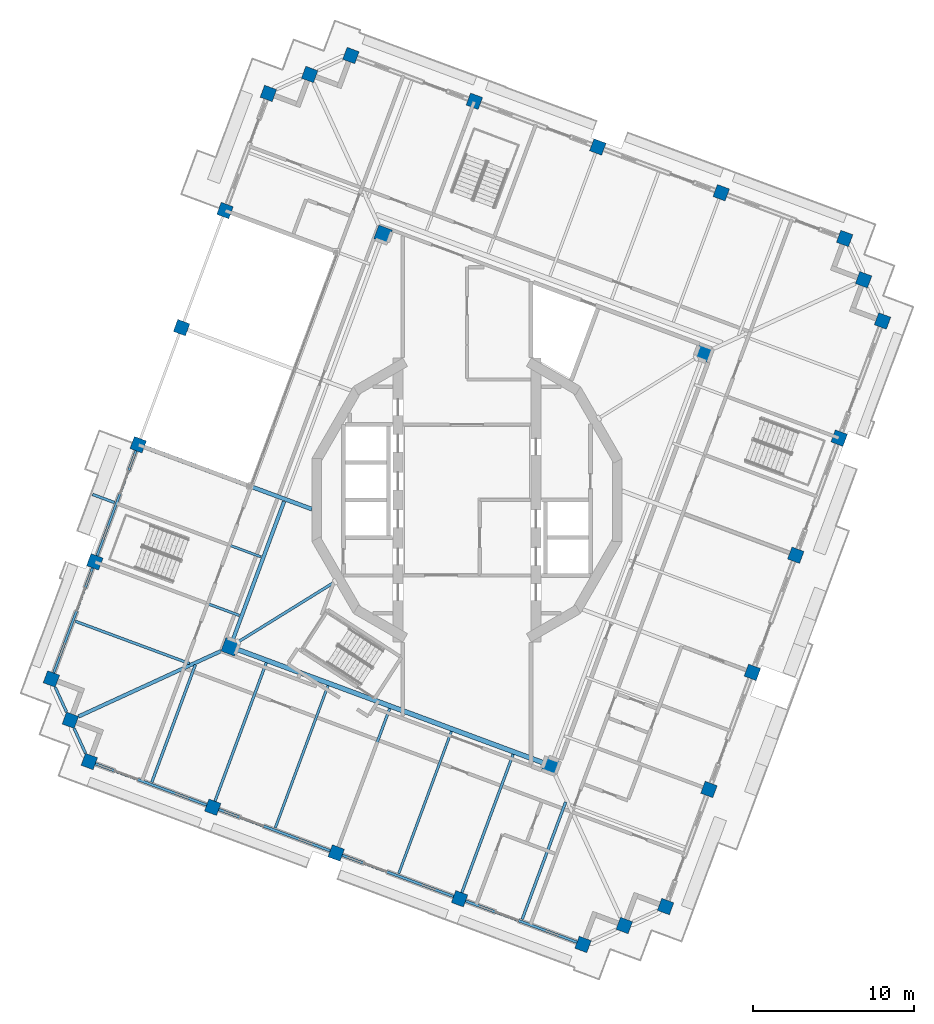
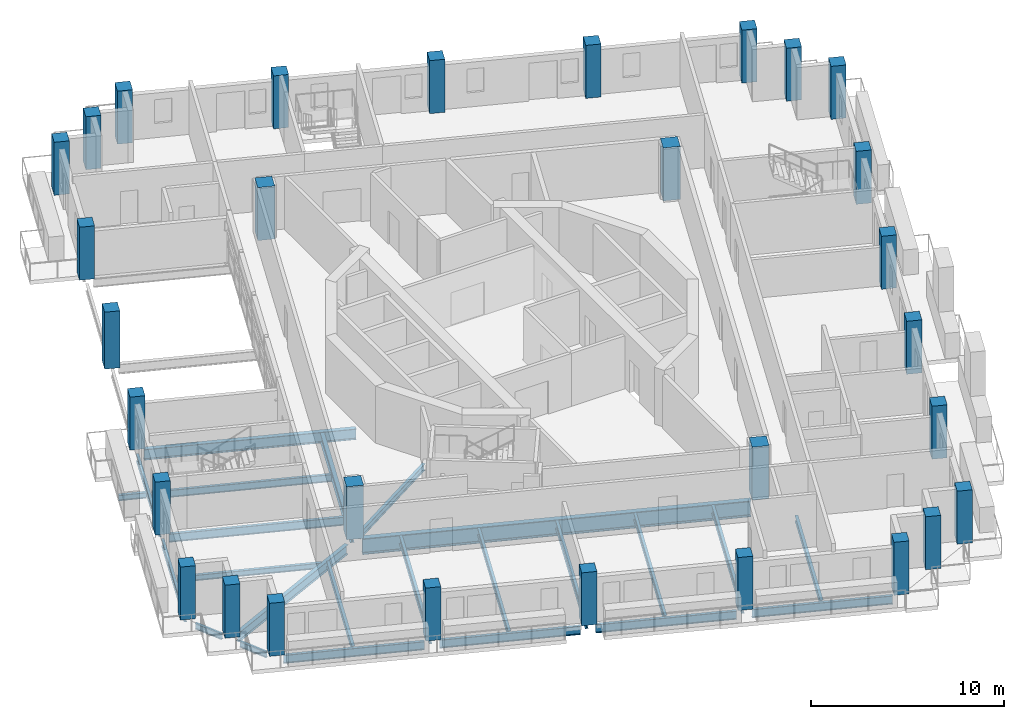
# One storey, part 1 of 20: 30 columns, 24 beams.
"""IFC4 building model written with IfcOpenShell, lengths in metres."""

from ifc_helpers import new_model, si_unit, direction, frame, origin, origin_2d, place, context, subcontext, project, spatial, rectangle, i_section, extrude, material, material_profile, profile_set, type_object, element, save


model = new_model("IFC4")

# Units and contexts
model_context = context("Model", 3, precision=1e-05, world=origin(), true_north=direction((0.0, 1.0)))
body_context = subcontext(model_context, "Body", "Model", "MODEL_VIEW")
ifc_project = project(units=[si_unit("LENGTHUNIT", "METRE"), si_unit("AREAUNIT", "SQUARE_METRE"), si_unit("VOLUMEUNIT", "CUBIC_METRE"), si_unit("PLANEANGLEUNIT", "RADIAN"), si_unit("MASSUNIT", "GRAM", prefix="KILO")], contexts=[model_context])

# Site, building, storey
site_placement = place(None, origin())
site = spatial("IfcSite", under=ifc_project, at=site_placement, CompositionType="ELEMENT")
building_placement = place(site_placement, origin())
building = spatial("IfcBuilding", under=site, at=building_placement, Name="Cantera Rosa Tower", CompositionType="ELEMENT")
storey_placement = place(building_placement, frame((0.0, 0.0, 313.300048828125)))
storey = spatial("IfcBuildingStorey", under=building, at=storey_placement, Name="L69", CompositionType="ELEMENT", Elevation=313.300048828125)

# Columns
ifc_material_1 = material(Name="Concrete C50/60", Category="concrete")
ifc_material_profile_1 = material_profile(ifc_material_1, rectangle(XDim=0.800048828125, YDim=0.800048828125, at=origin_2d()), Name="RC COLUMN RC800X800 C50/60")
ifc_profile_set_1 = profile_set([ifc_material_profile_1], Name="Concrete C50/60")
column_type_1 = type_object("IfcColumnType", Name="RC COLUMN RC800X800 C50/60", PredefinedType="COLUMN", material=ifc_profile_set_1)
for number, where, z_axis, x_axis, name in (
    (1, (23.526611328125, 16.2900390625, 0.0), (0.0, 0.0, 1.0), (0.347481234489, 0.937686936924, 0.0), "C-Z6-01 L69"),
    (2, (15.83740234375, 19.139404296875, 0.0), (0.0, 0.0, 1.0), (0.347481234489, 0.937686936924, 0.0), "C-Z6-02 L69"),
    (3, (8.1484375, 21.98876953125, 0.0), (0.0, 0.0, 1.0), (0.347481234489, 0.937686936924, 0.0), "C-Z6-03 L69"),
    (4, (0.45947265625, 24.838134765625, 0.0), (0.0, 0.0, 1.0), (0.347481234489, 0.937686936924, 0.0), "C-Z6-04 L69"),
    (5, (-7.229736328125, 27.6875, 0.0), (0.0, 0.0, 1.0), (0.347481234489, 0.937686936924, 0.0), "C-Z6-05 L69"),
    (6, (-9.800048828125, 26.507080078125, 0.0), (0.0, 0.0, 1.0), (0.347481234489, 0.937686936924, 0.0), "C-Z6-06 L69"),
    (7, (-12.370361328125, 25.32666015625, 0.0), (0.0, 0.0, 1.0), (0.347481234489, 0.937686936924, 0.0), "C-Z6-07 L69"),
    (8, (-15.07373046875, 18.031494140625, 0.0), (0.0, 0.0, 1.0), (0.347481234489, 0.937686936924, 0.0), "C-Z6-08 L69"),
):
    element("IfcColumn", number, at=place(storey_placement, frame(where, z_axis=z_axis, x_axis=x_axis)), inside=storey, type_object=column_type_1, Name=name, PredefinedType="COLUMN", context=body_context, shape_type="SweptSolid", body=[
        extrude(rectangle(XDim=0.800048828125, YDim=0.800048828125, at=origin_2d()), origin(), (0.0, 0.0, 1.0), 3.349853515625),
    ])
column_placement = place(storey_placement, frame((-17.777099609375, 10.736328125, -0.25), z_axis=(0.0, 0.0, 1.0), x_axis=(0.347481234489, 0.937686936924, 0.0)))
element("IfcColumn", 9, at=column_placement, inside=storey, type_object=column_type_1, Name="C-Z6-09 L69", PredefinedType="COLUMN", context=body_context, shape_type="SweptSolid", body=[
    extrude(rectangle(XDim=0.800048828125, YDim=0.800048828125, at=origin_2d()), origin(), (0.0, 0.0, 1.0), 3.599853515625),
])
for number, where, z_axis, x_axis, name in (
    (10, (-20.48046875, 3.44091796875, 0.0), (0.0, 0.0, 1.0), (0.347481234489, 0.937686936924, 0.0), "C-Z6-10 L69"),
    (11, (-23.183837890625, -3.854248046875, 0.0), (0.0, 0.0, 1.0), (0.347481234489, 0.937686936924, 0.0), "C-Z6-11 L69"),
    (12, (-25.88720703125, -11.1494140625, 0.0), (0.0, 0.0, 1.0), (0.347481234489, 0.937686936924, 0.0), "C-Z6-12 L69"),
    (13, (-24.70703125, -13.7197265625, 0.0), (0.0, 0.0, 1.0), (0.347481234489, 0.937686936924, 0.0), "C-Z6-13 L69"),
    (14, (-23.526611328125, -16.2900390625, 0.0), (0.0, 0.0, 1.0), (0.347481234489, 0.937686936924, 0.0), "C-Z6-14 L69"),
    (15, (-15.83740234375, -19.139404296875, 0.0), (0.0, 0.0, 1.0), (0.347481234489, 0.937686936924, 0.0), "C-Z6-15 L69"),
    (16, (-8.1484375, -21.98876953125, 0.0), (0.0, 0.0, 1.0), (0.347481234489, 0.937686936924, 0.0), "C-Z6-16 L69"),
    (17, (-0.45947265625, -24.838134765625, 0.0), (0.0, 0.0, 1.0), (0.347481234489, 0.937686936924, 0.0), "C-Z6-17 L69"),
    (18, (7.229736328125, -27.6875, 0.0), (0.0, 0.0, 1.0), (0.347481234489, 0.937686936924, 0.0), "C-Z6-18 L69"),
    (19, (9.800048828125, -26.507080078125, 0.0), (0.0, 0.0, 1.0), (0.347481234489, 0.937686936924, 0.0), "C-Z6-19 L69"),
    (20, (12.370361328125, -25.32666015625, 0.0), (0.0, 0.0, 1.0), (0.347481234489, 0.937686936924, 0.0), "C-Z6-20 L69"),
    (21, (15.07373046875, -18.031494140625, 0.0), (0.0, 0.0, 1.0), (0.347481234489, 0.937686936924, 0.0), "C-Z6-21 L69"),
    (22, (17.777099609375, -10.736328125, 0.0), (0.0, 0.0, 1.0), (0.347481234489, 0.937686936924, 0.0), "C-Z6-22 L69"),
    (23, (20.48046875, -3.44091796875, 0.0), (0.0, 0.0, 1.0), (0.347481234489, 0.937686936924, 0.0), "C-Z6-23 L69"),
    (24, (23.183837890625, 3.854248046875, 0.0), (0.0, 0.0, 1.0), (0.347481234489, 0.937686936924, 0.0), "C-Z6-24 L69"),
    (25, (25.88720703125, 11.1494140625, 0.0), (0.0, 0.0, 1.0), (0.347481234489, 0.937686936924, 0.0), "C-Z6-25 L69"),
    (26, (24.70703125, 13.7197265625, 0.0), (0.0, 0.0, 1.0), (0.347481234489, 0.937686936924, 0.0), "C-Z6-26 L69"),
):
    element("IfcColumn", number, at=place(storey_placement, frame(where, z_axis=z_axis, x_axis=x_axis)), inside=storey, type_object=column_type_1, Name=name, PredefinedType="COLUMN", context=body_context, shape_type="SweptSolid", body=[
        extrude(rectangle(XDim=0.800048828125, YDim=0.800048828125, at=origin_2d()), origin(), (0.0, 0.0, 1.0), 3.349853515625),
    ])
ifc_material_2 = material(Name="Concrete C50/60", Category="concrete")
ifc_material_profile_2 = material_profile(ifc_material_2, rectangle(XDim=0.89990234375, YDim=0.89990234375, at=origin_2d()), Name="RC RING COLUMN RC900X900 C50/60")
ifc_profile_set_2 = profile_set([ifc_material_profile_2], Name="Concrete C50/60")
column_type_2 = type_object("IfcColumnType", Name="RC RING COLUMN RC900X900 C50/60", PredefinedType="COLUMN", material=ifc_profile_set_2)
for number, where, z_axis, x_axis, name in (
    (27, (-5.225830078125, 16.546875, 0.0), (0.0, 0.0, 1.0), (0.347481234489, 0.937686936924, 0.0), "CI-Z6-1 L69"),
    (28, (-14.746826171875, -9.145751953125, 0.0), (0.0, 0.0, 1.0), (0.347481234489, 0.937686936924, 0.0), "CI-Z6-2 L69"),
    (29, (5.225830078125, -16.546875, 0.0), (0.0, 0.0, 1.0), (0.347481234489, 0.937686936924, 0.0), "CI-Z6-3 L69"),
    (30, (14.746826171875, 9.145751953125, 0.0), (0.0, 0.0, 1.0), (0.347481234489, 0.937686936924, 0.0), "CI-Z6-4 L69"),
):
    element("IfcColumn", number, at=place(storey_placement, frame(where, z_axis=z_axis, x_axis=x_axis)), inside=storey, type_object=column_type_2, Name=name, PredefinedType="COLUMN", context=body_context, shape_type="SweptSolid", body=[
        extrude(rectangle(XDim=0.89990234375, YDim=0.89990234375, at=origin_2d()), origin(), (0.0, 0.0, 1.0), 3.349853515625),
    ])

# Beams
ifc_material_3 = material(Name="Steel ASTM A992 (Fy 345 MPa)", Category="steel")
ifc_material_profile_3 = material_profile(ifc_material_3, i_section(OverallWidth=0.302001953125, OverallDepth=1.010009765625, WebThickness=0.02099609375, FlangeThickness=0.0400390625, FilletRadius=0.030029296875, at=origin_2d()), Name="W1000X350")
ifc_profile_set_3 = profile_set([ifc_material_profile_3], Name="Steel ASTM A992 (Fy 345 MPa)")
beam_type_1 = type_object("IfcBeamType", Name="STEEL BEAM W1000X350", PredefinedType="BEAM", material=ifc_profile_set_3)
beam_1_placement = place(storey_placement, frame((4.803955078125, -16.390625, -0.755126953125), z_axis=(-0.937687392162, 0.347480006017, 0.0), x_axis=(-0.347480006017, -0.937687392162, 0.0)))
element("IfcBeam", 31, at=beam_1_placement, inside=storey, type_object=beam_type_1, Name="RB-Z6-08 L69", PredefinedType="BEAM", context=body_context, shape_type="SweptSolid", body=[
    extrude(i_section(OverallWidth=0.302001953125, OverallDepth=1.010009765625, WebThickness=0.02099609375, FlangeThickness=0.0400390625, FilletRadius=0.030029296875, at=origin_2d()), origin(), (0.0, 0.0, 1.0), 20.400146484375),
])
ifc_material_4 = material(Name="Steel ASTM A992 (Fy 345 MPa)", Category="steel")
ifc_material_profile_4 = material_profile(ifc_material_4, i_section(OverallWidth=0.177978515625, OverallDepth=0.406005859375, WebThickness=0.0078125, FlangeThickness=0.0126953125, FilletRadius=0.01025390625, at=origin_2d()), Name="W410X60")
ifc_profile_set_4 = profile_set([ifc_material_profile_4], Name="Steel ASTM A992 (Fy 345 MPa)")
beam_type_2 = type_object("IfcBeamType", Name="STEEL BEAM W410X60", PredefinedType="BEAM", material=ifc_profile_set_4)
beam_2_placement = place(storey_placement, frame((-14.262451171875, -8.84521484375, -0.453125), z_axis=(0.849840939707, 0.527039255841, 0.0), x_axis=(-0.527039255841, 0.849840939707, 0.0)))
element("IfcBeam", 32, at=beam_2_placement, inside=storey, type_object=beam_type_2, Name="PG-Z6-01 L69", PredefinedType="BEAM", context=body_context, shape_type="SweptSolid", body=[
    extrude(i_section(OverallWidth=0.177978515625, OverallDepth=0.406005859375, WebThickness=0.0078125, FlangeThickness=0.0126953125, FilletRadius=0.01025390625, at=origin_2d()), origin(), (0.0, 0.0, 1.0), 7.118408203125),
])
ifc_material_5 = material(Name="Steel ASTM A992 (Fy 345 MPa)", Category="steel")
ifc_material_profile_5 = material_profile(ifc_material_5, i_section(OverallWidth=0.166015625, OverallDepth=0.528076171875, WebThickness=0.009765625, FlangeThickness=0.013671875, FilletRadius=0.0126953125, at=origin_2d()), Name="W530X74")
ifc_profile_set_5 = profile_set([ifc_material_profile_5], Name="Steel ASTM A992 (Fy 345 MPa)")
beam_type_3 = type_object("IfcBeamType", Name="STEEL BEAM W530X74", PredefinedType="BEAM", material=ifc_profile_set_5)
for number, where, z_axis, x_axis, name in (
    (33, (-22.808837890625, -3.9931640625, -0.51416015625), (0.937688566, -0.347476838353, 0.0), (0.347476838353, 0.937688566, 0.0), "G-Z6-07 L69"),
    (34, (-15.698486328125, -18.764404296875, -0.51416015625), (0.347476838353, 0.937688566, 0.0), (-0.937688566, 0.347476838353, 0.0), "G-Z6-12 L69"),
    (35, (-8.009521484375, -21.61376953125, -0.51416015625), (0.34750017104, 0.937679919337, 0.0), (-0.937679919337, 0.34750017104, 0.0), "G-Z6-13 L69"),
    (36, (-0.3203125, -24.463134765625, -0.51416015625), (0.347476838353, 0.937688566, 0.0), (-0.937688566, 0.347476838353, 0.0), "G-Z6-14 L69"),
):
    element("IfcBeam", number, at=place(storey_placement, frame(where, z_axis=z_axis, x_axis=x_axis)), inside=storey, type_object=beam_type_3, Name=name, PredefinedType="BEAM", context=body_context, shape_type="SweptSolid", body=[
        extrude(i_section(OverallWidth=0.166015625, OverallDepth=0.528076171875, WebThickness=0.009765625, FlangeThickness=0.013671875, FilletRadius=0.0126953125, at=origin_2d()), origin(), (0.0, 0.0, 1.0), 9.199951171875),
    ])
ifc_material_6 = material(Name="Steel ASTM A992 (Fy 345 MPa)", Category="steel")
ifc_material_profile_6 = material_profile(ifc_material_6, i_section(OverallWidth=0.22802734375, OverallDepth=0.60205078125, WebThickness=0.010498046875, FlangeThickness=0.014892578125, FilletRadius=0.0126953125, at=origin_2d()), Name="W610X101")
ifc_profile_set_6 = profile_set([ifc_material_profile_6], Name="Steel ASTM A992 (Fy 345 MPa)")
beam_type_4 = type_object("IfcBeamType", Name="STEEL BEAM W610X101", PredefinedType="BEAM", material=ifc_profile_set_6)
beam_3_placement = place(storey_placement, frame((-24.19287109375, -13.483642578125, -0.551025390625), z_axis=(0.908747889595, 0.417345508131, 0.0), x_axis=(-0.417345508131, 0.908747889595, 0.0)))
element("IfcBeam", 37, at=beam_3_placement, inside=storey, type_object=beam_type_4, Name="CB-Z6-02 L69", PredefinedType="BEAM", context=body_context, shape_type="SweptSolid", body=[
    extrude(i_section(OverallWidth=0.22802734375, OverallDepth=0.60205078125, WebThickness=0.010498046875, FlangeThickness=0.014892578125, FilletRadius=0.0126953125, at=origin_2d()), origin(), (0.0, 0.0, 1.0), 9.758056640625),
])
beam_4_placement = place(storey_placement, frame((-14.590576171875, -8.7236328125, -0.551025390625), z_axis=(0.347498244979, 0.937680633125, 0.0), x_axis=(-0.937680633125, 0.347498244979, 0.0)))
element("IfcBeam", 38, at=beam_4_placement, inside=storey, type_object=beam_type_4, Name="RB-Z6-01 L69", PredefinedType="BEAM", context=body_context, shape_type="SweptSolid", body=[
    extrude(i_section(OverallWidth=0.22802734375, OverallDepth=0.60205078125, WebThickness=0.010498046875, FlangeThickness=0.014892578125, FilletRadius=0.0126953125, at=origin_2d()), origin(), (0.0, 0.0, 1.0), 9.2099609375),
])
ifc_material_7 = material(Name="Steel ASTM A992 (Fy 345 MPa)", Category="steel")
ifc_material_profile_7 = material_profile(ifc_material_7, i_section(OverallWidth=0.25390625, OverallDepth=0.677978515625, WebThickness=0.01171875, FlangeThickness=0.016357421875, FilletRadius=0.01513671875, at=origin_2d()), Name="W690X125")
ifc_profile_set_7 = profile_set([ifc_material_profile_7], Name="Steel ASTM A992 (Fy 345 MPa)")
beam_type_5 = type_object("IfcBeamType", Name="STEEL BEAM W690X125", PredefinedType="BEAM", material=ifc_profile_set_7)
beam_5_placement = place(storey_placement, frame((-20.10546875, 3.302001953125, -0.589111328125), z_axis=(0.937687416585, -0.347479940109, 0.0), x_axis=(0.347479940109, 0.937687416585, 0.0)))
element("IfcBeam", 39, at=beam_5_placement, inside=storey, type_object=beam_type_5, Name="G-Z6-06 L69", PredefinedType="BEAM", context=body_context, shape_type="SweptSolid", body=[
    extrude(i_section(OverallWidth=0.25390625, OverallDepth=0.677978515625, WebThickness=0.01171875, FlangeThickness=0.016357421875, FilletRadius=0.01513671875, at=origin_2d()), origin(), (0.0, 0.0, 1.0), 11.140380859375),
])
ifc_material_8 = material(Name="Steel ASTM A992 (Fy 345 MPa)", Category="steel")
ifc_material_profile_8 = material_profile(ifc_material_8, i_section(OverallWidth=0.1708984375, OverallDepth=0.35595703125, WebThickness=0.00732421875, FlangeThickness=0.01171875, FilletRadius=0.010009765625, at=origin_2d()), Name="W360X51")
ifc_profile_set_8 = profile_set([ifc_material_profile_8], Name="Steel ASTM A992 (Fy 345 MPa)")
beam_type_6 = type_object("IfcBeamType", Name="STEEL JOIST W360X51", PredefinedType="JOIST", material=ifc_profile_set_8)
beam_6_placement = place(storey_placement, frame((-24.39501953125, -7.553955078125, -0.427978515625), z_axis=(0.937686277131, -0.347483014951, 0.0), x_axis=(0.347483014951, 0.937686277131, 0.0)))
element("IfcBeam", 40, at=beam_6_placement, inside=storey, type_object=beam_type_6, Name="B-Z6-09 L69", PredefinedType="JOIST", context=body_context, shape_type="SweptSolid", body=[
    extrude(i_section(OverallWidth=0.1708984375, OverallDepth=0.35595703125, WebThickness=0.00732421875, FlangeThickness=0.01171875, FilletRadius=0.010009765625, at=origin_2d()), origin(), (0.0, 0.0, 1.0), 7.590087890625),
])
for number, where, z_axis, x_axis, name in (
    (41, (-19.6298828125, -17.573974609375, -0.427978515625), (0.347491728417, 0.937683048093, 0.0), (-0.937683048093, 0.347491728417, 0.0), "B-Z6-15 L69"),
    (42, (3.437255859375, -26.1220703125, -0.427978515625), (0.347491728417, 0.937683048093, 0.0), (-0.937683048093, 0.347491728417, 0.0), "B-Z6-18 L69"),
):
    element("IfcBeam", number, at=place(storey_placement, frame(where, z_axis=z_axis, x_axis=x_axis)), inside=storey, type_object=beam_type_6, Name=name, PredefinedType="JOIST", context=body_context, shape_type="SweptSolid", body=[
        extrude(i_section(OverallWidth=0.1708984375, OverallDepth=0.35595703125, WebThickness=0.00732421875, FlangeThickness=0.01171875, FilletRadius=0.010009765625, at=origin_2d()), origin(), (0.0, 0.0, 1.0), 7.800048828125),
    ])
beam_7_placement = place(storey_placement, frame((-21.9541015625, -0.161376953125, -0.427978515625), z_axis=(-0.937702386535, 0.347439540475, 0.0), x_axis=(-0.347439540475, -0.937702386535, 0.0)))
element("IfcBeam", 43, at=beam_7_placement, inside=storey, type_object=beam_type_6, Name="BS-Z6-02 L69", PredefinedType="JOIST", context=body_context, shape_type="SweptSolid", body=[
    extrude(i_section(OverallWidth=0.1708984375, OverallDepth=0.35595703125, WebThickness=0.00732421875, FlangeThickness=0.01171875, FilletRadius=0.010009765625, at=origin_2d()), origin(), (0.0, 0.0, 1.0), 1.4609375),
])
ifc_material_9 = material(Name="Steel ASTM A992 (Fy 345 MPa)", Category="steel")
ifc_material_profile_9 = material_profile(ifc_material_9, i_section(OverallWidth=0.154052734375, OverallDepth=0.4599609375, WebThickness=0.009033203125, FlangeThickness=0.015380859375, FilletRadius=0.01025390625, at=origin_2d()), Name="W460X68")
ifc_profile_set_9 = profile_set([ifc_material_profile_9], Name="Steel ASTM A992 (Fy 345 MPa)")
beam_type_7 = type_object("IfcBeamType", Name="STEEL JOIST W460X68", PredefinedType="JOIST", material=ifc_profile_set_9)
beam_8_placement = place(storey_placement, frame((-21.691650390625, -0.2587890625, -0.47998046875), z_axis=(0.937689536508, -0.347474219364, 0.0), x_axis=(0.347474219364, 0.937689536508, 0.0)))
element("IfcBeam", 44, at=beam_8_placement, inside=storey, type_object=beam_type_7, Name="B-Z6-08 L69", PredefinedType="JOIST", context=body_context, shape_type="SweptSolid", body=[
    extrude(i_section(OverallWidth=0.154052734375, OverallDepth=0.4599609375, WebThickness=0.009033203125, FlangeThickness=0.015380859375, FilletRadius=0.01025390625, at=origin_2d()), origin(), (0.0, 0.0, 1.0), 9.4501953125),
])
for number, where, z_axis, x_axis, name in (
    (45, (-11.94091796875, -20.42333984375, -0.47998046875), (0.347482637031, 0.937686417179, 0.0), (-0.937686417179, 0.347482637031, 0.0), "B-Z6-16 L69"),
    (46, (-4.251708984375, -23.272705078125, -0.47998046875), (0.347482637031, 0.937686417179, 0.0), (-0.937686417179, 0.347482637031, 0.0), "B-Z6-17 L69"),
):
    element("IfcBeam", number, at=place(storey_placement, frame(where, z_axis=z_axis, x_axis=x_axis)), inside=storey, type_object=beam_type_7, Name=name, PredefinedType="JOIST", context=body_context, shape_type="SweptSolid", body=[
        extrude(i_section(OverallWidth=0.154052734375, OverallDepth=0.4599609375, WebThickness=0.009033203125, FlangeThickness=0.015380859375, FilletRadius=0.01025390625, at=origin_2d()), origin(), (0.0, 0.0, 1.0), 9.449951171875),
    ])
ifc_material_10 = material(Name="Steel ASTM A992 (Fy 345 MPa)", Category="steel")
ifc_material_profile_10 = material_profile(ifc_material_10, i_section(OverallWidth=0.1708984375, OverallDepth=0.35595703125, WebThickness=0.00732421875, FlangeThickness=0.01171875, FilletRadius=0.010009765625, at=origin_2d()), Name="W360X51")
ifc_profile_set_10 = profile_set([ifc_material_profile_10], Name="Steel ASTM A992 (Fy 345 MPa)")
beam_type_8 = type_object("IfcBeamType", Name="STEEL SPANDREL BEAM W360X51", PredefinedType="SPANDREL", material=ifc_profile_set_10)
for number, where, z_axis, x_axis, name in (
    (47, (-25.651123046875, -11.66357421875, -0.427978515625), (0.417268968709, -0.908783036677, 0.0), (0.908783036677, 0.417268968709, 0.0), "EB-Z6-12 L69"),
    (48, (-24.470947265625, -14.23388671875, -0.427978515625), (0.417387791404, -0.908728469669, 0.0), (0.908728469669, 0.417387791404, 0.0), "EB-Z6-13 L69"),
):
    element("IfcBeam", number, at=place(storey_placement, frame(where, z_axis=z_axis, x_axis=x_axis)), inside=storey, type_object=beam_type_8, Name=name, PredefinedType="SPANDREL", context=body_context, shape_type="SweptSolid", body=[
        extrude(i_section(OverallWidth=0.1708984375, OverallDepth=0.35595703125, WebThickness=0.00732421875, FlangeThickness=0.01171875, FilletRadius=0.010009765625, at=origin_2d()), origin(), (0.0, 0.0, 1.0), 1.69677734375),
    ])
ifc_material_11 = material(Name="Steel ASTM A992 (Fy 345 MPa)", Category="steel")
ifc_material_profile_11 = material_profile(ifc_material_11, i_section(OverallWidth=0.154052734375, OverallDepth=0.4599609375, WebThickness=0.009033203125, FlangeThickness=0.015380859375, FilletRadius=0.01025390625, at=origin_2d()), Name="W460X68")
ifc_profile_set_11 = profile_set([ifc_material_profile_11], Name="Steel ASTM A992 (Fy 345 MPa)")
beam_type_9 = type_object("IfcBeamType", Name="STEEL SPANDREL BEAM W460X68", PredefinedType="SPANDREL", material=ifc_profile_set_11)
beam_9_placement = place(storey_placement, frame((-20.61962890625, 3.06591796875, -0.47998046875), z_axis=(-0.347471562124, -0.937690521182, 0.0), x_axis=(0.937690521182, -0.347471562124, 0.0)))
element("IfcBeam", 49, at=beam_9_placement, inside=storey, type_object=beam_type_9, Name="EB-Z6-10 L69", PredefinedType="SPANDREL", context=body_context, shape_type="SweptSolid", body=[
    extrude(i_section(OverallWidth=0.154052734375, OverallDepth=0.4599609375, WebThickness=0.009033203125, FlangeThickness=0.015380859375, FilletRadius=0.01025390625, at=origin_2d()), origin(), (0.0, 0.0, 1.0), 6.979736328125),
])
beam_10_placement = place(storey_placement, frame((-23.322998046875, -4.229248046875, -0.47998046875), z_axis=(-0.347460165909, -0.937694744097, 0.0), x_axis=(0.937694744097, -0.347460165909, 0.0)))
element("IfcBeam", 50, at=beam_10_placement, inside=storey, type_object=beam_type_9, Name="EB-Z6-11 L69", PredefinedType="SPANDREL", context=body_context, shape_type="SweptSolid", body=[
    extrude(i_section(OverallWidth=0.154052734375, OverallDepth=0.4599609375, WebThickness=0.009033203125, FlangeThickness=0.015380859375, FilletRadius=0.01025390625, at=origin_2d()), origin(), (0.0, 0.0, 1.0), 6.97998046875),
])
ifc_material_12 = material(Name="Steel ASTM A992 (Fy 345 MPa)", Category="steel")
ifc_material_profile_12 = material_profile(ifc_material_12, i_section(OverallWidth=0.166015625, OverallDepth=0.528076171875, WebThickness=0.009765625, FlangeThickness=0.013671875, FilletRadius=0.0126953125, at=origin_2d()), Name="W530X74")
ifc_profile_set_12 = profile_set([ifc_material_profile_12], Name="Steel ASTM A992 (Fy 345 MPa)")
beam_type_10 = type_object("IfcBeamType", Name="STEEL SPANDREL BEAM W530X74", PredefinedType="SPANDREL", material=ifc_profile_set_12)
beam_11_placement = place(storey_placement, frame((-23.1513671875, -16.428955078125, -0.51416015625), z_axis=(0.937676706507, -0.347508840281, 0.0), x_axis=(0.347508840281, 0.937676706507, 0.0)))
element("IfcBeam", 51, at=beam_11_placement, inside=storey, type_object=beam_type_10, Name="EB-Z6-14 L69", PredefinedType="SPANDREL", context=body_context, shape_type="SweptSolid", body=[
    extrude(i_section(OverallWidth=0.166015625, OverallDepth=0.528076171875, WebThickness=0.009765625, FlangeThickness=0.013671875, FilletRadius=0.0126953125, at=origin_2d()), origin(), (0.0, 0.0, 1.0), 7.39990234375),
])
for number, where, z_axis, x_axis, name in (
    (52, (-15.46240234375, -19.2783203125, -0.51416015625), (0.937680690562, -0.34749808999, 0.0), (0.34749808999, 0.937680690562, 0.0), "EB-Z6-15 L69"),
    (53, (-7.7734375, -22.127685546875, -0.51416015625), (0.937680690562, -0.34749808999, 0.0), (0.34749808999, 0.937680690562, 0.0), "EB-Z6-16 L69"),
):
    element("IfcBeam", number, at=place(storey_placement, frame(where, z_axis=z_axis, x_axis=x_axis)), inside=storey, type_object=beam_type_10, Name=name, PredefinedType="SPANDREL", context=body_context, shape_type="SweptSolid", body=[
        extrude(i_section(OverallWidth=0.166015625, OverallDepth=0.528076171875, WebThickness=0.009765625, FlangeThickness=0.013671875, FilletRadius=0.0126953125, at=origin_2d()), origin(), (0.0, 0.0, 1.0), 7.400146484375),
    ])
beam_12_placement = place(storey_placement, frame((-0.084228515625, -24.97705078125, -0.51416015625), z_axis=(0.937687456783, -0.347479831633, 0.0), x_axis=(0.347479831633, 0.937687456783, 0.0)))
element("IfcBeam", 54, at=beam_12_placement, inside=storey, type_object=beam_type_10, Name="EB-Z6-17 L69", PredefinedType="SPANDREL", context=body_context, shape_type="SweptSolid", body=[
    extrude(i_section(OverallWidth=0.166015625, OverallDepth=0.528076171875, WebThickness=0.009765625, FlangeThickness=0.013671875, FilletRadius=0.0126953125, at=origin_2d()), origin(), (0.0, 0.0, 1.0), 7.39990234375),
])

save(model, "model.ifc")
